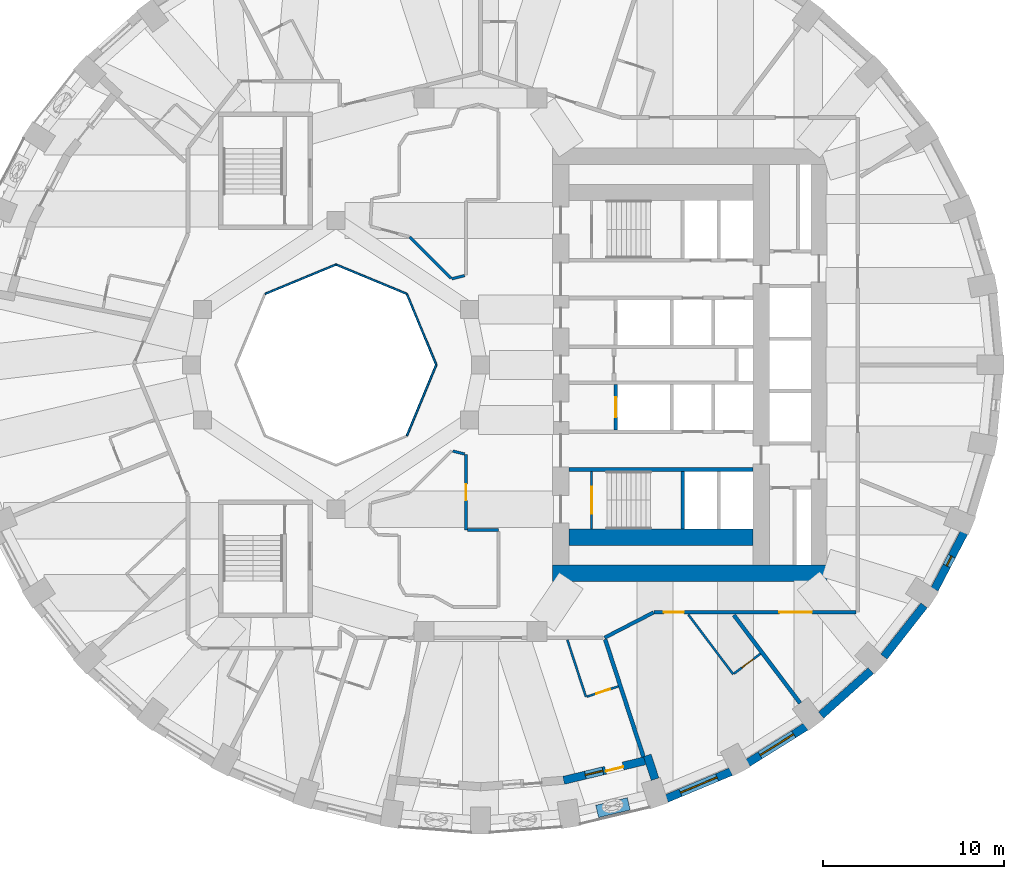
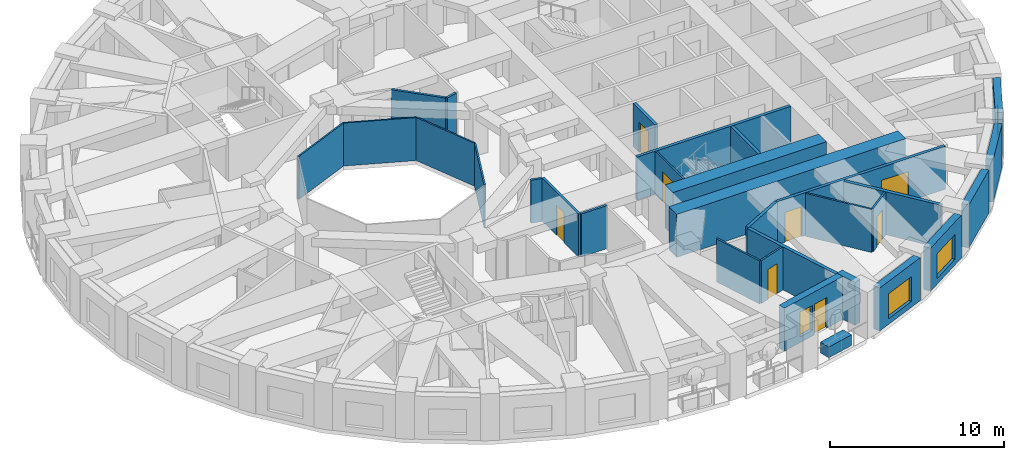
# One storey, part 5 of 13: 31 walls, 8 doors, 4 windows, 12 openings.
"""IFC4 building model written with IfcOpenShell, lengths in metres."""

from ifc_helpers import new_model, si_unit, direction, frame, frame_2d, origin, place, context, subcontext, project, spatial, rectangle, extrude, material, layer, layer_set, constituent, constituent_set, type_object, element, fill, save


model = new_model("IFC4")

# Units and contexts
model_context = context("Model", 3, precision=1e-05, world=origin(), true_north=direction((0.0, 1.0)))
body_context = subcontext(model_context, "Body", "Model", "MODEL_VIEW")
ifc_project = project(units=[si_unit("LENGTHUNIT", "METRE"), si_unit("AREAUNIT", "SQUARE_METRE"), si_unit("VOLUMEUNIT", "CUBIC_METRE"), si_unit("PLANEANGLEUNIT", "RADIAN"), si_unit("MASSUNIT", "GRAM", prefix="KILO")], contexts=[model_context])

# Site, building, storey
site_placement = place(None, origin())
site = spatial("IfcSite", under=ifc_project, at=site_placement, CompositionType="ELEMENT")
building_placement = place(site_placement, origin())
building = spatial("IfcBuilding", under=site, at=building_placement, Name="Taillehof Tower", CompositionType="ELEMENT")
storey_placement = place(building_placement, frame((0.0, 0.0, 74.5)))
storey = spatial("IfcBuildingStorey", under=building, at=storey_placement, Name="L20", CompositionType="ELEMENT", Elevation=74.5)

# Walls
ifc_material_1 = material(Name="Fire-resisting glass in steel frame", Category="steel")
ifc_layer_1 = layer(ifc_material_1, 0.10009765625)
ifc_layer_set_1 = layer_set([ifc_layer_1], Name="Atrium fire-resisting screen EI 60 100")
wall_type_1 = type_object("IfcWallType", Name="Atrium fire-resisting screen EI 60 100", PredefinedType="PARTITIONING", material=ifc_layer_set_1)
for number, where, z_axis, x_axis, name in (
    (1, (-2.44580078125, 0.0, 0.0), (0.0, 0.0, 1.0), (-0.382730523909, -0.923860025149, 0.0), "Atrium screen"),
    (2, (-11.92724609375, 3.92724609375, 0.0), (0.0, 0.0, 1.0), (0.923860025149, 0.382730523909, 0.0), "Atrium screen"),
    (3, (-8.0, 5.55419921875, 0.0), (0.0, 0.0, 1.0), (0.923860025149, -0.382730523909, 0.0), "Atrium screen"),
    (4, (-4.07275390625, 3.92724609375, 0.0), (0.0, 0.0, 1.0), (0.382730523909, -0.923860025149, 0.0), "Atrium screen"),
):
    element("IfcWall", number, at=place(storey_placement, frame(where, z_axis=z_axis, x_axis=x_axis)), inside=storey, type_object=wall_type_1, Name=name, PredefinedType="PARTITIONING", context=body_context, shape_type="SweptSolid", body=[
        extrude(rectangle(XDim=4.2509765625, YDim=0.10009765625, at=frame_2d((2.12548828125, 0.0))), origin(), (0.0, 0.0, 1.0), 3.02001953125),
    ])

# Wall, opening, window
ifc_material_2 = material(Name="Brick masonry", Category="masonry")
ifc_layer_2 = layer(ifc_material_2, 0.449951171875)
ifc_layer_set_2 = layer_set([ifc_layer_2], Name="Brick infill wall 450")
wall_type_2 = type_object("IfcWallType", Name="Brick infill wall 450", PredefinedType="SOLIDWALL", material=ifc_layer_set_2)
wall_1_placement = place(storey_placement, frame((10.3154296875, -24.02099609375, 0.0), z_axis=(0.0, 0.0, 1.0), x_axis=(0.923031964282, 0.384723267966, 0.0)))
wall_1 = element("IfcWall", 5, at=wall_1_placement, inside=storey, type_object=wall_type_2, Name="Brick wall L20 bay 30", PredefinedType="SOLIDWALL", context=body_context, shape_type="SweptSolid", body=[
    extrude(rectangle(XDim=3.8564453125, YDim=0.449951171875, at=frame_2d((1.92822265625, 0.0))), origin(), (0.0, 0.0, 1.0), 3.02001953125),
])
opening_1_placement = place(wall_1_placement, frame((0.828125, 0.0, 0.39990234375)))
opening_1 = element("IfcOpeningElement", 6, at=opening_1_placement, cuts=wall_1, Name="Opening W1", PredefinedType="OPENING", context=body_context, shape_type="SweptSolid", body=[
    extrude(rectangle(XDim=2.199951171875, YDim=1.75, at=frame_2d((1.10009765625, 0.875))), frame((0.0, 0.23486328125, 0.0), z_axis=(0.0, -1.0, 0.0), x_axis=(1.0, 0.0, 0.0)), (0.0, 0.0, 1.0), 0.469970703125),
])
ifc_material_3 = material(Name="Aluminium window frame with clear double glazing", Category="aluminium")
window_type_1 = type_object("IfcWindowType", Name="Deep-set window 2200x1750", PartitioningType="SINGLE_PANEL", PredefinedType="WINDOW", material=ifc_material_3)
window_1_placement = place(opening_1_placement, origin())
window_1 = element("IfcWindow", 7, at=window_1_placement, inside=storey, type_object=window_type_1, Name="W1", OverallHeight=1.75, OverallWidth=2.199951171875, PartitioningType="SINGLE_PANEL", PredefinedType="WINDOW", context=body_context, shape_type="SweptSolid", body=[
    extrude(rectangle(XDim=2.199951171875, YDim=1.75, at=frame_2d((1.10009765625, 0.875))), frame((0.0, 0.034912109375, 0.0), z_axis=(0.0, -1.0, 0.0), x_axis=(1.0, 0.0, 0.0)), (0.0, 0.0, 1.0), 0.06005859375),
])
fill(opening_1, window_1)

wall_2_placement = place(storey_placement, frame((14.81689453125, -22.050537109375, 0.0), z_axis=(0.0, 0.0, 1.0), x_axis=(0.847635480093, 0.530579016629, 0.0)))
wall_2 = element("IfcWall", 8, at=wall_2_placement, inside=storey, type_object=wall_type_2, Name="Brick wall L20 bay 31", PredefinedType="SOLIDWALL", context=body_context, shape_type="SweptSolid", body=[
    extrude(rectangle(XDim=3.782470703125, YDim=0.449951171875, at=frame_2d((1.89111328125, 0.0))), origin(), (0.0, 0.0, 1.0), 3.02001953125),
])
opening_2_placement = place(wall_2_placement, frame((0.791259765625, 0.0, 0.39990234375)))
opening_2 = element("IfcOpeningElement", 9, at=opening_2_placement, cuts=wall_2, Name="Opening W1", PredefinedType="OPENING", context=body_context, shape_type="SweptSolid", body=[
    extrude(rectangle(XDim=2.199951171875, YDim=1.75, at=frame_2d((1.10009765625, 0.875))), frame((0.0, 0.23486328125, 0.0), z_axis=(0.0, -1.0, 0.0), x_axis=(1.0, 0.0, 0.0)), (0.0, 0.0, 1.0), 0.469970703125),
])
window_2_placement = place(opening_2_placement, origin())
window_2 = element("IfcWindow", 10, at=window_2_placement, inside=storey, type_object=window_type_1, Name="W1", OverallHeight=1.75, OverallWidth=2.199951171875, PartitioningType="SINGLE_PANEL", PredefinedType="WINDOW", context=body_context, shape_type="SweptSolid", body=[
    extrude(rectangle(XDim=2.199951171875, YDim=1.75, at=frame_2d((1.10009765625, 0.875))), frame((0.0, 0.034912109375, 0.0), z_axis=(0.0, -1.0, 0.0), x_axis=(1.0, 0.0, 0.0)), (0.0, 0.0, 1.0), 0.06005859375),
])
fill(opening_2, window_2)

# Walls
wall_3_placement = place(storey_placement, frame((18.87060546875, -19.406982421875, 0.0), z_axis=(0.0, 0.0, 1.0), x_axis=(0.745526233716, 0.66647628228, 0.0)))
element("IfcWall", 11, at=wall_3_placement, inside=storey, type_object=wall_type_2, Name="Brick wall L20 bay 32", PredefinedType="SOLIDWALL", context=body_context, shape_type="SweptSolid", body=[
    extrude(rectangle(XDim=3.69677734375, YDim=0.449951171875, at=frame_2d((1.848388671875, 0.0))), origin(), (0.0, 0.0, 1.0), 3.02001953125),
])
wall_4_placement = place(storey_placement, frame((22.3515625, -16.169677734375, 0.0), z_axis=(0.0, 0.0, 1.0), x_axis=(0.616661975264, 0.787228053529, 0.0)))
element("IfcWall", 12, at=wall_4_placement, inside=storey, type_object=wall_type_2, Name="Brick wall L20 bay 33", PredefinedType="SOLIDWALL", context=body_context, shape_type="SweptSolid", body=[
    extrude(rectangle(XDim=3.60986328125, YDim=0.449951171875, at=frame_2d((1.804931640625, 0.0))), origin(), (0.0, 0.0, 1.0), 3.02001953125),
])

# Wall, opening, window
wall_5_placement = place(storey_placement, frame((25.152099609375, -12.436767578125, 0.0), z_axis=(0.0, 0.0, 1.0), x_axis=(0.462492775226, 0.886623050041, 0.0)))
wall_5 = element("IfcWall", 13, at=wall_5_placement, inside=storey, type_object=wall_type_2, Name="Brick wall L20 bay 34", PredefinedType="SOLIDWALL", context=body_context, shape_type="SweptSolid", body=[
    extrude(rectangle(XDim=3.531982421875, YDim=0.449951171875, at=frame_2d((1.76611328125, 0.0))), origin(), (0.0, 0.0, 1.0), 3.02001953125),
])
opening_3_placement = place(wall_5_placement, frame((1.466064453125, 0.0, 0.39990234375)))
opening_3 = element("IfcOpeningElement", 14, at=opening_3_placement, cuts=wall_5, Name="Opening W6", PredefinedType="OPENING", context=body_context, shape_type="SweptSolid", body=[
    extrude(rectangle(XDim=0.60009765625, YDim=1.75, at=frame_2d((0.300048828125, 0.875))), frame((0.0, 0.23486328125, 0.0), z_axis=(0.0, -1.0, 0.0), x_axis=(1.0, 0.0, 0.0)), (0.0, 0.0, 1.0), 0.469970703125),
])
ifc_material_4 = material(Name="Aluminium window frame with clear double glazing", Category="aluminium")
window_type_2 = type_object("IfcWindowType", Name="Slot window 600x1750", PartitioningType="SINGLE_PANEL", PredefinedType="WINDOW", material=ifc_material_4)
window_3_placement = place(opening_3_placement, origin())
window_3 = element("IfcWindow", 15, at=window_3_placement, inside=storey, type_object=window_type_2, Name="W6", OverallHeight=1.75, OverallWidth=0.60009765625, PartitioningType="SINGLE_PANEL", PredefinedType="WINDOW", context=body_context, shape_type="SweptSolid", body=[
    extrude(rectangle(XDim=0.60009765625, YDim=1.75, at=frame_2d((0.300048828125, 0.875))), frame((0.0, 0.034912109375, 0.0), z_axis=(0.0, -1.0, 0.0), x_axis=(1.0, 0.0, 0.0)), (0.0, 0.0, 1.0), 0.06005859375),
])
fill(opening_3, window_3)

# Wall
wall_6_placement = place(storey_placement, frame((9.673583984375, -22.95556640625, 0.0), z_axis=(0.0, 0.0, 1.0), x_axis=(-0.310269011655, 0.950648799719, 0.0)))
element("IfcWall", 16, at=wall_6_placement, inside=storey, type_object=wall_type_2, Name="Brick reveal L20 pocket 8", PredefinedType="SOLIDWALL", context=body_context, shape_type="SweptSolid", body=[
    extrude(rectangle(XDim=1.390380859375, YDim=0.449951171875, at=frame_2d((0.6953125, 0.0))), origin(), (0.0, 0.0, 1.0), 3.02001953125),
])

# Wall, openings, door, window
wall_7_placement = place(storey_placement, frame((4.6083984375, -23.015625, 0.0), z_axis=(0.0, 0.0, 1.0), x_axis=(0.972343667289, 0.233554688847, 0.0)))
wall_7 = element("IfcWall", 17, at=wall_7_placement, inside=storey, type_object=wall_type_2, Name="Brick wall L20 pocket bay 29", PredefinedType="SOLIDWALL", context=body_context, shape_type="SweptSolid", body=[
    extrude(rectangle(XDim=4.62353515625, YDim=0.449951171875, at=frame_2d((2.311767578125, 0.0))), origin(), (0.0, 0.0, 1.0), 3.02001953125),
])
opening_4_placement = place(wall_7_placement, frame((1.23681640625, 0.0, 0.39990234375)))
opening_4 = element("IfcOpeningElement", 18, at=opening_4_placement, cuts=wall_7, Name="Opening W5", PredefinedType="OPENING", context=body_context, shape_type="SweptSolid", body=[
    extrude(rectangle(XDim=1.0, YDim=1.75, at=frame_2d((0.5, 0.875))), frame((0.0, 0.23486328125, 0.0), z_axis=(0.0, -1.0, 0.0), x_axis=(1.0, 0.0, 0.0)), (0.0, 0.0, 1.0), 0.469970703125),
])
opening_5_placement = place(wall_7_placement, frame((2.38671875, 0.0, 0.0)))
opening_5 = element("IfcOpeningElement", 19, at=opening_5_placement, cuts=wall_7, Name="Opening D2093", PredefinedType="OPENING", context=body_context, shape_type="SweptSolid", body=[
    extrude(rectangle(XDim=1.0, YDim=2.14990234375, at=frame_2d((0.5, 1.074951171875))), frame((0.0, 0.23486328125, 0.0), z_axis=(0.0, -1.0, 0.0), x_axis=(1.0, 0.0, 0.0)), (0.0, 0.0, 1.0), 0.469970703125),
])
ifc_material_5 = material(Name="Aluminium door frame with clear double glazing", Category="aluminium")
door_type_1 = type_object("IfcDoorType", Name="Balcony door 1000x2150", OperationType="SINGLE_SWING_RIGHT", PredefinedType="DOOR", material=ifc_material_5)
door_1_placement = place(opening_5_placement, frame((1.0, 0.0, 0.0), z_axis=(0.0, 0.0, 1.0), x_axis=(-1.0, 0.0, 0.0)))
door_1 = element("IfcDoor", 20, at=door_1_placement, inside=storey, type_object=door_type_1, Name="Balcony door L20 bay 29", OperationType="SINGLE_SWING_LEFT", OverallHeight=2.14990234375, OverallWidth=1.0, PredefinedType="DOOR", context=body_context, shape_type="SweptSolid", body=[
    extrude(rectangle(XDim=1.0, YDim=2.14990234375, at=frame_2d((0.5, 1.074951171875))), frame((0.0, 0.0751953125, 0.0), z_axis=(0.0, -1.0, 0.0), x_axis=(1.0, 0.0, 0.0)), (0.0, 0.0, 1.0), 0.050048828125),
])
fill(opening_5, door_1)
ifc_material_6 = material(Name="Aluminium window frame with clear double glazing", Category="aluminium")
window_type_3 = type_object("IfcWindowType", Name="Fixed window 1000x1750", PartitioningType="SINGLE_PANEL", PredefinedType="WINDOW", material=ifc_material_6)
window_4_placement = place(opening_4_placement, origin())
window_4 = element("IfcWindow", 21, at=window_4_placement, inside=storey, type_object=window_type_3, Name="W5", OverallHeight=1.75, OverallWidth=1.0, PartitioningType="SINGLE_PANEL", PredefinedType="WINDOW", context=body_context, shape_type="SweptSolid", body=[
    extrude(rectangle(XDim=1.0, YDim=1.75, at=frame_2d((0.5, 0.875))), frame((0.0, 0.034912109375, 0.0), z_axis=(0.0, -1.0, 0.0), x_axis=(1.0, 0.0, 0.0)), (0.0, 0.0, 1.0), 0.06005859375),
])
fill(opening_4, window_4)

# Wall, openings, doors
ifc_material_7 = material(Name="Gypsum board on steel studs, two layers each side", Category="steel")
ifc_layer_3 = layer(ifc_material_7, 0.199951171875)
ifc_layer_set_3 = layer_set([ifc_layer_3], Name="Compartment wall corridor 200")
wall_type_3 = type_object("IfcWallType", Name="Compartment wall corridor 200", PredefinedType="PARTITIONING", material=ifc_layer_set_3)
wall_8_placement = place(storey_placement, frame((20.7998046875, -13.699951171875, 0.0), z_axis=(0.0, 0.0, 1.0), x_axis=(-1.0, 0.0, 0.0)))
wall_8 = element("IfcWall", 22, at=wall_8_placement, inside=storey, type_object=wall_type_3, Name="Compartment wall", PredefinedType="PARTITIONING", context=body_context, shape_type="SweptSolid", body=[
    extrude(rectangle(XDim=11.178466796875, YDim=0.199951171875, at=frame_2d((5.58935546875, 0.0))), origin(), (0.0, 0.0, 1.0), 3.02001953125),
])
opening_6_placement = place(wall_8_placement, frame((9.53369140625, 0.0, 0.0)))
opening_6 = element("IfcOpeningElement", 23, at=opening_6_placement, cuts=wall_8, Name="Opening D2062", PredefinedType="OPENING", context=body_context, shape_type="SweptSolid", body=[
    extrude(rectangle(XDim=1.10009765625, YDim=2.10009765625, at=frame_2d((0.550048828125, 1.050048828125))), frame((0.0, 0.10986328125, 0.0), z_axis=(0.0, -1.0, 0.0), x_axis=(1.0, 0.0, 0.0)), (0.0, 0.0, 1.0), 0.219970703125),
])
opening_7_placement = place(wall_8_placement, frame((2.447998046875, 0.0, 0.0)))
opening_7 = element("IfcOpeningElement", 24, at=opening_7_placement, cuts=wall_8, Name="Opening D2064", PredefinedType="OPENING", context=body_context, shape_type="SweptSolid", body=[
    extrude(rectangle(XDim=1.800048828125, YDim=2.10009765625, at=frame_2d((0.89990234375, 1.050048828125))), frame((0.0, 0.10986328125, 0.0), z_axis=(0.0, -1.0, 0.0), x_axis=(1.0, 0.0, 0.0)), (0.0, 0.0, 1.0), 0.219970703125),
])
ifc_material_8 = material(Name="Timber door leaf in steel frame", Category="steel")
door_type_2 = type_object("IfcDoorType", Name="Lounge and meeting room double door EI 30 1800 x 2100", OperationType="SINGLE_SWING_LEFT", PredefinedType="DOOR", material=ifc_material_8)
door_2_placement = place(opening_7_placement, origin())
door_2 = element("IfcDoor", 25, at=door_2_placement, inside=storey, type_object=door_type_2, Name="D2064", OperationType="DOUBLE_DOOR_SINGLE_SWING", OverallHeight=2.10009765625, OverallWidth=1.800048828125, PredefinedType="DOOR", context=body_context, shape_type="SweptSolid", body=[
    extrude(rectangle(XDim=1.800048828125, YDim=2.10009765625, at=frame_2d((0.89990234375, 1.050048828125))), frame((0.0, 0.02490234375, 0.0), z_axis=(0.0, -1.0, 0.0), x_axis=(1.0, 0.0, 0.0)), (0.0, 0.0, 1.0), 0.050048828125),
])
fill(opening_7, door_2)
ifc_material_9 = material(Name="Timber door leaf in steel frame", Category="steel")
door_type_3 = type_object("IfcDoorType", Name="Suite entrance door EI 30 1100 x 2100", OperationType="SINGLE_SWING_LEFT", PredefinedType="DOOR", material=ifc_material_9)
door_3_placement = place(opening_6_placement, origin())
door_3 = element("IfcDoor", 26, at=door_3_placement, inside=storey, type_object=door_type_3, Name="D2062", OperationType="SINGLE_SWING_LEFT", OverallHeight=2.10009765625, OverallWidth=1.10009765625, PredefinedType="DOOR", context=body_context, shape_type="SweptSolid", body=[
    extrude(rectangle(XDim=1.10009765625, YDim=2.10009765625, at=frame_2d((0.550048828125, 1.050048828125))), frame((0.0, 0.02490234375, 0.0), z_axis=(0.0, -1.0, 0.0), x_axis=(1.0, 0.0, 0.0)), (0.0, 0.0, 1.0), 0.050048828125),
])
fill(opening_6, door_3)

# Walls
wall_9_placement = place(storey_placement, frame((9.585693359375, -13.718505859375, 0.0), z_axis=(0.0, 0.0, 1.0), x_axis=(-0.888664904046, -0.458557181076, 0.0)))
element("IfcWall", 27, at=wall_9_placement, inside=storey, type_object=wall_type_3, Name="Compartment wall", PredefinedType="PARTITIONING", context=body_context, shape_type="SweptSolid", body=[
    extrude(rectangle(XDim=3.04638671875, YDim=0.199951171875, at=frame_2d((1.523193359375, 0.0))), origin(), (0.0, 0.0, 1.0), 3.02001953125),
])
ifc_material_10 = material(Name="Gypsum board on double steel studs with mineral wool", Category="steel")
ifc_layer_4 = layer(ifc_material_10, 0.219970703125)
ifc_layer_set_4 = layer_set([ifc_layer_4], Name="Compartment wall guest room 220")
wall_type_4 = type_object("IfcWallType", Name="Compartment wall guest room 220", PredefinedType="PARTITIONING", material=ifc_layer_set_4)
wall_10_placement = place(storey_placement, frame((9.033935546875, -21.72119140625, 0.0), z_axis=(0.0, 0.0, 1.0), x_axis=(-0.310286072156, 0.95064323141, 0.0)))
element("IfcWall", 28, at=wall_10_placement, inside=storey, type_object=wall_type_4, Name="Compartment wall", PredefinedType="PARTITIONING", context=body_context, shape_type="SweptSolid", body=[
    extrude(rectangle(XDim=6.8486328125, YDim=0.219970703125, at=frame_2d((3.42431640625, 0.0))), origin(), (0.0, 0.0, 1.0), 3.02001953125),
])
wall_11_placement = place(storey_placement, frame((17.707763671875, -18.7431640625, 0.0), z_axis=(0.0, 0.0, 1.0), x_axis=(-0.601170031872, 0.799121137738, 0.0)))
element("IfcWall", 29, at=wall_11_placement, inside=storey, type_object=wall_type_4, Name="Compartment wall", PredefinedType="PARTITIONING", context=body_context, shape_type="SweptSolid", body=[
    extrude(rectangle(XDim=6.106201171875, YDim=0.219970703125, at=frame_2d((3.05322265625, 0.0))), origin(), (0.0, 0.0, 1.0), 3.02001953125),
])
ifc_material_11 = material(Name="Gypsum board on steel studs, two layers each side", Category="steel")
ifc_layer_5 = layer(ifc_material_11, 0.14990234375)
ifc_layer_set_5 = layer_set([ifc_layer_5], Name="Compartment wall service room 150")
wall_type_5 = type_object("IfcWallType", Name="Compartment wall service room 150", PredefinedType="PARTITIONING", material=ifc_layer_set_5)
wall_12_placement = place(storey_placement, frame((-0.877197265625, 4.94189453125, 0.0), z_axis=(0.0, 0.0, 1.0), x_axis=(-0.969671869719, -0.244410443874, 0.0)))
element("IfcWall", 30, at=wall_12_placement, inside=storey, type_object=wall_type_5, Name="Compartment wall", PredefinedType="PARTITIONING", context=body_context, shape_type="SweptSolid", body=[
    extrude(rectangle(XDim=0.735107421875, YDim=0.14990234375, at=frame_2d((0.36767578125, 0.0))), origin(), (0.0, 0.0, 1.0), 3.02001953125),
])
wall_13_placement = place(storey_placement, frame((-1.632568359375, 4.8046875, 0.0), z_axis=(0.0, 0.0, 1.0), x_axis=(-0.707068892009, 0.707144668334, 0.0)))
element("IfcWall", 31, at=wall_13_placement, inside=storey, type_object=wall_type_5, Name="Compartment wall", PredefinedType="PARTITIONING", context=body_context, shape_type="SweptSolid", body=[
    extrude(rectangle(XDim=3.221923828125, YDim=0.14990234375, at=frame_2d((1.61083984375, 0.0))), origin(), (0.0, 0.0, 1.0), 3.02001953125),
])

# Wall, opening, door
wall_14_placement = place(storey_placement, frame((-0.800048828125, -4.96142578125, 0.0), z_axis=(0.0, 0.0, 1.0), x_axis=(0.0, -1.0, 0.0)))
wall_14 = element("IfcWall", 32, at=wall_14_placement, inside=storey, type_object=wall_type_5, Name="Compartment wall", PredefinedType="PARTITIONING", context=body_context, shape_type="SweptSolid", body=[
    extrude(rectangle(XDim=4.1884765625, YDim=0.14990234375, at=frame_2d((2.09423828125, 0.0))), origin(), (0.0, 0.0, 1.0), 3.02001953125),
])
opening_8_placement = place(wall_14_placement, frame((1.644287109375, 0.0, 0.0)))
opening_8 = element("IfcOpeningElement", 33, at=opening_8_placement, cuts=wall_14, Name="Opening D2069", PredefinedType="OPENING", context=body_context, shape_type="SweptSolid", body=[
    extrude(rectangle(XDim=0.89990234375, YDim=2.10009765625, at=frame_2d((0.449951171875, 1.050048828125))), frame((0.0, 0.0849609375, 0.0), z_axis=(0.0, -1.0, 0.0), x_axis=(1.0, 0.0, 0.0)), (0.0, 0.0, 1.0), 0.169921875),
])
ifc_material_12 = material(Name="Timber door leaf in steel frame", Category="steel")
door_type_4 = type_object("IfcDoorType", Name="Service room door EI 30 900 x 2100", OperationType="SINGLE_SWING_LEFT", PredefinedType="DOOR", material=ifc_material_12)
door_4_placement = place(opening_8_placement, origin())
door_4 = element("IfcDoor", 34, at=door_4_placement, inside=storey, type_object=door_type_4, Name="D2069", OperationType="SINGLE_SWING_RIGHT", OverallHeight=2.10009765625, OverallWidth=0.89990234375, PredefinedType="DOOR", context=body_context, shape_type="SweptSolid", body=[
    extrude(rectangle(XDim=0.89990234375, YDim=2.10009765625, at=frame_2d((0.449951171875, 1.050048828125))), frame((0.0, 0.02490234375, 0.0), z_axis=(0.0, -1.0, 0.0), x_axis=(1.0, 0.0, 0.0)), (0.0, 0.0, 1.0), 0.050048828125),
])
fill(opening_8, door_4)

# Walls
wall_15_placement = place(storey_placement, frame((-0.719970703125, -9.14990234375, 0.0), z_axis=(0.0, 0.0, 1.0), x_axis=(1.0, 0.0, 0.0)))
element("IfcWall", 35, at=wall_15_placement, inside=storey, type_object=wall_type_5, Name="Compartment wall", PredefinedType="PARTITIONING", context=body_context, shape_type="SweptSolid", body=[
    extrude(rectangle(XDim=1.719970703125, YDim=0.14990234375, at=frame_2d((0.85986328125, 0.0))), origin(), (0.0, 0.0, 1.0), 3.02001953125),
])
wall_16_placement = place(storey_placement, frame((-1.5322265625, -4.77685546875, 0.0), z_axis=(0.0, 0.0, 1.0), x_axis=(0.969694394352, -0.244321062461, 0.0)))
element("IfcWall", 36, at=wall_16_placement, inside=storey, type_object=wall_type_5, Name="Compartment wall", PredefinedType="PARTITIONING", context=body_context, shape_type="SweptSolid", body=[
    extrude(rectangle(XDim=0.675537109375, YDim=0.14990234375, at=frame_2d((0.337890625, 0.0))), origin(), (0.0, 0.0, 1.0), 3.02001953125),
])
ifc_material_13 = material(Name="Concrete C80/95", Category="concrete")
ifc_layer_6 = layer(ifc_material_13, 0.89990234375)
ifc_layer_set_6 = layer_set([ifc_layer_6], Name="Core wall C80/95 900")
wall_type_6 = type_object("IfcWallType", Name="Core wall C80/95 900", PredefinedType="SHEAR", material=ifc_layer_set_6)
wall_17_placement = place(storey_placement, frame((4.0, -11.550048828125, 0.0), z_axis=(0.0, 0.0, 1.0), x_axis=(1.0, 0.0, 0.0)))
element("IfcWall", 37, at=wall_17_placement, inside=storey, type_object=wall_type_6, Name="Core wall CW04", PredefinedType="SHEAR", context=body_context, shape_type="SweptSolid", body=[
    extrude(rectangle(XDim=15.199951171875, YDim=0.89990234375, at=frame_2d((7.60009765625, 0.0))), origin(), (0.0, 0.0, 1.0), 3.02001953125),
])
wall_18_placement = place(storey_placement, frame((4.89990234375, -9.550048828125, 0.0), z_axis=(0.0, 0.0, 1.0), x_axis=(1.0, 0.0, 0.0)))
element("IfcWall", 38, at=wall_18_placement, inside=storey, type_object=wall_type_6, Name="Core wall CW07", PredefinedType="SHEAR", context=body_context, shape_type="SweptSolid", body=[
    extrude(rectangle(XDim=10.2001953125, YDim=0.89990234375, at=frame_2d((5.10009765625, 0.0))), origin(), (0.0, 0.0, 1.0), 3.02001953125),
])
ifc_material_14 = material(Name="Gypsum board on steel studs, moisture resistant", Category="steel")
ifc_layer_7 = layer(ifc_material_14, 0.1201171875)
ifc_layer_set_7 = layer_set([ifc_layer_7], Name="En-suite wall 120")
wall_type_7 = type_object("IfcWallType", Name="En-suite wall 120", PredefinedType="PARTITIONING", material=ifc_layer_set_7)
wall_19_placement = place(storey_placement, frame((4.8134765625, -15.234619140625, 0.0), z_axis=(0.0, 0.0, 1.0), x_axis=(0.310233981264, -0.950660232086, 0.0)))
element("IfcWall", 39, at=wall_19_placement, inside=storey, type_object=wall_type_7, Name="En-suite wall", PredefinedType="PARTITIONING", context=body_context, shape_type="SweptSolid", body=[
    extrude(rectangle(XDim=3.3271484375, YDim=0.1201171875, at=frame_2d((1.66357421875, 0.0))), origin(), (0.0, 0.0, 1.0), 3.02001953125),
])
wall_20_placement = place(storey_placement, frame((11.51025390625, -13.831787109375, 0.0), z_axis=(0.0, 0.0, 1.0), x_axis=(0.60115060605, -0.7991357512, 0.0)))
element("IfcWall", 40, at=wall_20_placement, inside=storey, type_object=wall_type_7, Name="En-suite wall", PredefinedType="PARTITIONING", context=body_context, shape_type="SweptSolid", body=[
    extrude(rectangle(XDim=4.1396484375, YDim=0.1201171875, at=frame_2d((2.06982421875, 0.0))), origin(), (0.0, 0.0, 1.0), 3.02001953125),
])

# Wall, opening, door
wall_21_placement = place(storey_placement, frame((5.90283203125, -18.37939453125, 0.0), z_axis=(0.0, 0.0, 1.0), x_axis=(0.950626343776, 0.310337807105, 0.0)))
wall_21 = element("IfcWall", 41, at=wall_21_placement, inside=storey, type_object=wall_type_7, Name="En-suite wall", PredefinedType="PARTITIONING", context=body_context, shape_type="SweptSolid", body=[
    extrude(rectangle(XDim=1.829833984375, YDim=0.1201171875, at=frame_2d((0.9150390625, 0.0))), origin(), (0.0, 0.0, 1.0), 3.02001953125),
])
opening_9_placement = place(wall_21_placement, frame((0.5400390625, 0.0, 0.0)))
opening_9 = element("IfcOpeningElement", 42, at=opening_9_placement, cuts=wall_21, Name="Opening D2061", PredefinedType="OPENING", context=body_context, shape_type="SweptSolid", body=[
    extrude(rectangle(XDim=0.800048828125, YDim=2.10009765625, at=frame_2d((0.39990234375, 1.050048828125))), frame((0.0, 0.070068359375, 0.0), z_axis=(0.0, -1.0, 0.0), x_axis=(1.0, 0.0, 0.0)), (0.0, 0.0, 1.0), 0.14013671875),
])
ifc_material_15 = material(Name="Timber door leaf in steel frame", Category="steel")
door_type_5 = type_object("IfcDoorType", Name="En-suite door 800 x 2100", OperationType="SINGLE_SWING_LEFT", PredefinedType="DOOR", material=ifc_material_15)
door_5_placement = place(opening_9_placement, origin())
door_5 = element("IfcDoor", 43, at=door_5_placement, inside=storey, type_object=door_type_5, Name="D2061", OperationType="SINGLE_SWING_LEFT", OverallHeight=2.10009765625, OverallWidth=0.800048828125, PredefinedType="DOOR", context=body_context, shape_type="SweptSolid", body=[
    extrude(rectangle(XDim=0.800048828125, YDim=2.10009765625, at=frame_2d((0.39990234375, 1.050048828125))), frame((0.0, 0.02490234375, 0.0), z_axis=(0.0, -1.0, 0.0), x_axis=(1.0, 0.0, 0.0)), (0.0, 0.0, 1.0), 0.050048828125),
])
fill(opening_9, door_5)

wall_22_placement = place(storey_placement, frame((14.046630859375, -17.103759765625, 0.0), z_axis=(0.0, 0.0, 1.0), x_axis=(0.799182868338, 0.601087966071, 0.0)))
wall_22 = element("IfcWall", 44, at=wall_22_placement, inside=storey, type_object=wall_type_7, Name="En-suite wall", PredefinedType="PARTITIONING", context=body_context, shape_type="SweptSolid", body=[
    extrude(rectangle(XDim=1.830078125, YDim=0.1201171875, at=frame_2d((0.9150390625, 0.0))), origin(), (0.0, 0.0, 1.0), 3.02001953125),
])
opening_10_placement = place(wall_22_placement, frame((0.5400390625, 0.0, 0.0)))
opening_10 = element("IfcOpeningElement", 45, at=opening_10_placement, cuts=wall_22, Name="Opening D2063", PredefinedType="OPENING", context=body_context, shape_type="SweptSolid", body=[
    extrude(rectangle(XDim=0.800048828125, YDim=2.10009765625, at=frame_2d((0.39990234375, 1.050048828125))), frame((0.0, 0.070068359375, 0.0), z_axis=(0.0, -1.0, 0.0), x_axis=(1.0, 0.0, 0.0)), (0.0, 0.0, 1.0), 0.14013671875),
])
door_6_placement = place(opening_10_placement, origin())
door_6 = element("IfcDoor", 46, at=door_6_placement, inside=storey, type_object=door_type_5, Name="D2063", OperationType="SINGLE_SWING_LEFT", OverallHeight=2.10009765625, OverallWidth=0.800048828125, PredefinedType="DOOR", context=body_context, shape_type="SweptSolid", body=[
    extrude(rectangle(XDim=0.800048828125, YDim=2.10009765625, at=frame_2d((0.39990234375, 1.050048828125))), frame((0.0, 0.02490234375, 0.0), z_axis=(0.0, -1.0, 0.0), x_axis=(1.0, 0.0, 0.0)), (0.0, 0.0, 1.0), 0.050048828125),
])
fill(opening_10, door_6)

# Walls
ifc_material_16 = material(Name="Concrete C30/37 precast", Category="concrete")
ifc_constituent_1 = constituent(ifc_material_16, Name="Structure", Category="concrete")
ifc_material_17 = material(Name="Insulated lining")
ifc_constituent_2 = constituent(ifc_material_17, Name="Lining")
ifc_constituent_set = constituent_set(constituents=[ifc_constituent_1, ifc_constituent_2], Name="Planter trough 700x750")
wall_type_8 = type_object("IfcWallType", Name="Planter trough 700x750", PredefinedType="USERDEFINED", material=ifc_constituent_set)
wall_23_placement = place(storey_placement, frame((6.464599609375, -24.7373046875, 0.0), z_axis=(0.0, 0.0, 1.0), x_axis=(0.972504142103, 0.232885580473, 0.0)))
element("IfcWall", 47, at=wall_23_placement, inside=storey, type_object=wall_type_8, Name="Planter L20 bay 29", ObjectType="PLANTER", PredefinedType="USERDEFINED", context=body_context, shape_type="SweptSolid", body=[
    extrude(rectangle(XDim=1.800048828125, YDim=0.699951171875, at=frame_2d((0.89990234375, 0.0))), origin(), (0.0, 0.0, 1.0), 0.75),
])
ifc_material_18 = material(Name="Concrete C50/60", Category="concrete")
ifc_layer_8 = layer(ifc_material_18, 0.199951171875)
ifc_layer_set_8 = layer_set([ifc_layer_8], Name="Shaft wall C50/60 200")
wall_type_9 = type_object("IfcWallType", Name="Shaft wall C50/60 200", PredefinedType="SHEAR", material=ifc_layer_set_8)
wall_24_placement = place(storey_placement, frame((4.89990234375, -5.800048828125, 0.0), z_axis=(0.0, 0.0, 1.0), x_axis=(1.0, 0.0, 0.0)))
element("IfcWall", 48, at=wall_24_placement, inside=storey, type_object=wall_type_9, Name="Shaft wall SW", PredefinedType="SHEAR", context=body_context, shape_type="SweptSolid", body=[
    extrude(rectangle(XDim=10.2001953125, YDim=0.199951171875, at=frame_2d((5.10009765625, 0.0))), origin(), (0.0, 0.0, 1.0), 3.02001953125),
])
wall_25_placement = place(storey_placement, frame((11.199951171875, -9.10009765625, 0.0), z_axis=(0.0, 0.0, 1.0), x_axis=(0.0, 1.0, 0.0)))
element("IfcWall", 49, at=wall_25_placement, inside=storey, type_object=wall_type_9, Name="Shaft wall SW", PredefinedType="SHEAR", context=body_context, shape_type="SweptSolid", body=[
    extrude(rectangle(XDim=3.2001953125, YDim=0.199951171875, at=frame_2d((1.60009765625, 0.0))), origin(), (0.0, 0.0, 1.0), 3.02001953125),
])

# Wall, opening, door
wall_26_placement = place(storey_placement, frame((7.5, -3.60009765625, 0.0), z_axis=(0.0, 0.0, 1.0), x_axis=(0.0, 1.0, 0.0)))
wall_26 = element("IfcWall", 50, at=wall_26_placement, inside=storey, type_object=wall_type_9, Name="Shaft wall SW", PredefinedType="SHEAR", context=body_context, shape_type="SweptSolid", body=[
    extrude(rectangle(XDim=2.5, YDim=0.199951171875, at=frame_2d((1.25, 0.0))), origin(), (0.0, 0.0, 1.0), 3.02001953125),
])
opening_11_placement = place(wall_26_placement, frame((0.699951171875, 0.0, 0.0)))
opening_11 = element("IfcOpeningElement", 51, at=opening_11_placement, cuts=wall_26, Name="Opening LD1", PredefinedType="OPENING", context=body_context, shape_type="SweptSolid", body=[
    extrude(rectangle(XDim=1.10009765625, YDim=2.10009765625, at=frame_2d((0.550048828125, 1.050048828125))), frame((0.0, 0.10986328125, 0.0), z_axis=(0.0, -1.0, 0.0), x_axis=(1.0, 0.0, 0.0)), (0.0, 0.0, 1.0), 0.219970703125),
])
ifc_material_19 = material(Name="Stainless steel", Category="steel")
door_type_6 = type_object("IfcDoorType", Name="Lift landing door LD1 1100x2100", OperationType="DOUBLE_DOOR_SLIDING", PredefinedType="DOOR", material=ifc_material_19)
door_7_placement = place(opening_11_placement, origin())
door_7 = element("IfcDoor", 52, at=door_7_placement, inside=storey, type_object=door_type_6, Name="Landing door FF2", OperationType="DOUBLE_DOOR_SLIDING", OverallHeight=2.10009765625, OverallWidth=1.10009765625, PredefinedType="DOOR", context=body_context, shape_type="SweptSolid", body=[
    extrude(rectangle(XDim=1.10009765625, YDim=2.10009765625, at=frame_2d((0.550048828125, 1.050048828125))), frame((0.0, 0.02490234375, 0.0), z_axis=(0.0, -1.0, 0.0), x_axis=(1.0, 0.0, 0.0)), (0.0, 0.0, 1.0), 0.050048828125),
])
fill(opening_11, door_7)

ifc_material_20 = material(Name="Concrete C50/60", Category="concrete")
ifc_layer_9 = layer(ifc_material_20, 0.1201171875)
ifc_layer_set_9 = layer_set([ifc_layer_9], Name="Stair lobby wall C50/60 120")
wall_type_10 = type_object("IfcWallType", Name="Stair lobby wall C50/60 120", PredefinedType="SHEAR", material=ifc_layer_set_9)
wall_27_placement = place(storey_placement, frame((6.159912109375, -9.10009765625, 0.0), z_axis=(0.0, 0.0, 1.0), x_axis=(0.0, 1.0, 0.0)))
wall_27 = element("IfcWall", 53, at=wall_27_placement, inside=storey, type_object=wall_type_10, Name="Compartment wall SW", PredefinedType="SHEAR", context=body_context, shape_type="SweptSolid", body=[
    extrude(rectangle(XDim=3.2001953125, YDim=0.1201171875, at=frame_2d((1.60009765625, 0.0))), origin(), (0.0, 0.0, 1.0), 3.02001953125),
])
opening_12_placement = place(wall_27_placement, frame((0.85009765625, 0.0, 0.0)))
opening_12 = element("IfcOpeningElement", 54, at=opening_12_placement, cuts=wall_27, Name="Opening D2011", PredefinedType="OPENING", context=body_context, shape_type="SweptSolid", body=[
    extrude(rectangle(XDim=1.5, YDim=2.10009765625, at=frame_2d((0.75, 1.050048828125))), frame((0.0, 0.070068359375, 0.0), z_axis=(0.0, -1.0, 0.0), x_axis=(1.0, 0.0, 0.0)), (0.0, 0.0, 1.0), 0.14013671875),
])
ifc_material_21 = material(Name="Steel-faced fire door", Category="steel")
door_type_7 = type_object("IfcDoorType", Name="Stair door 1500x2100", OperationType="DOUBLE_DOOR_SINGLE_SWING", PredefinedType="DOOR", material=ifc_material_21)
door_8_placement = place(opening_12_placement, origin())
door_8 = element("IfcDoor", 55, at=door_8_placement, inside=storey, type_object=door_type_7, Name="Stair lobby door S2", OperationType="DOUBLE_DOOR_SINGLE_SWING", OverallHeight=2.10009765625, OverallWidth=1.5, PredefinedType="DOOR", context=body_context, shape_type="SweptSolid", body=[
    extrude(rectangle(XDim=1.5, YDim=2.10009765625, at=frame_2d((0.75, 1.050048828125))), frame((0.0, 0.02490234375, 0.0), z_axis=(0.0, -1.0, 0.0), x_axis=(1.0, 0.0, 0.0)), (0.0, 0.0, 1.0), 0.050048828125),
])
fill(opening_12, door_8)

save(model, "model.ifc")
